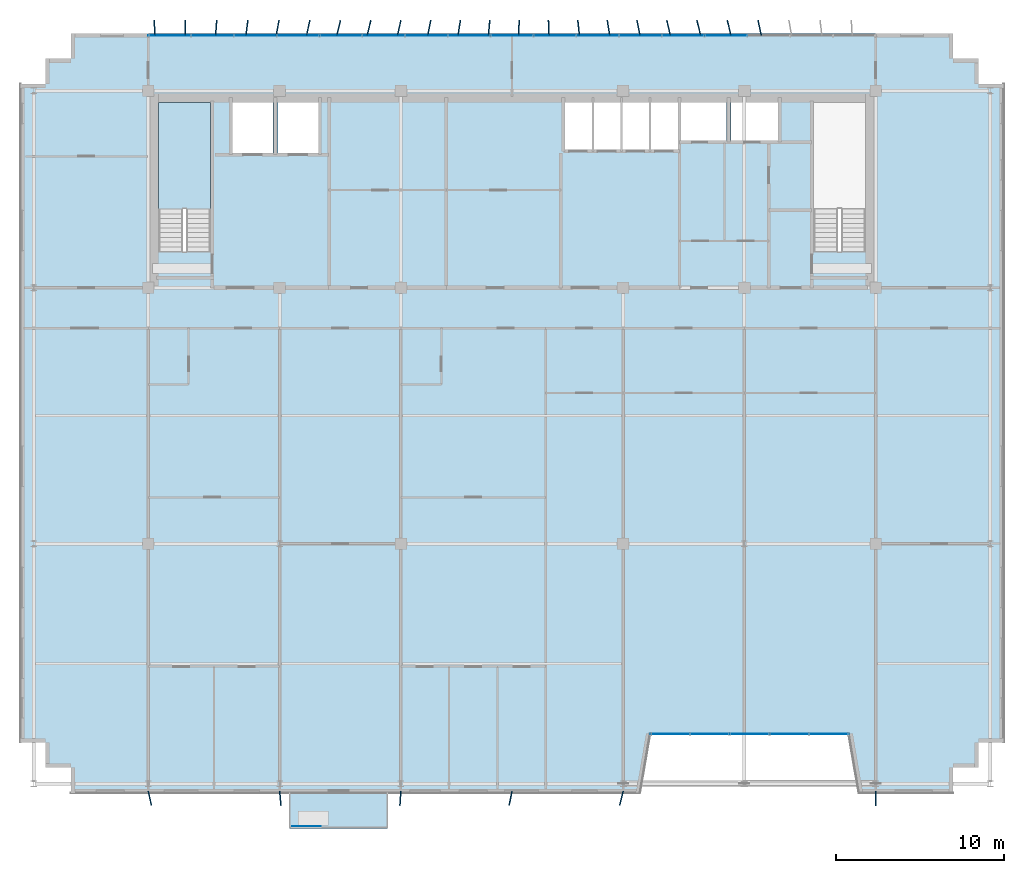
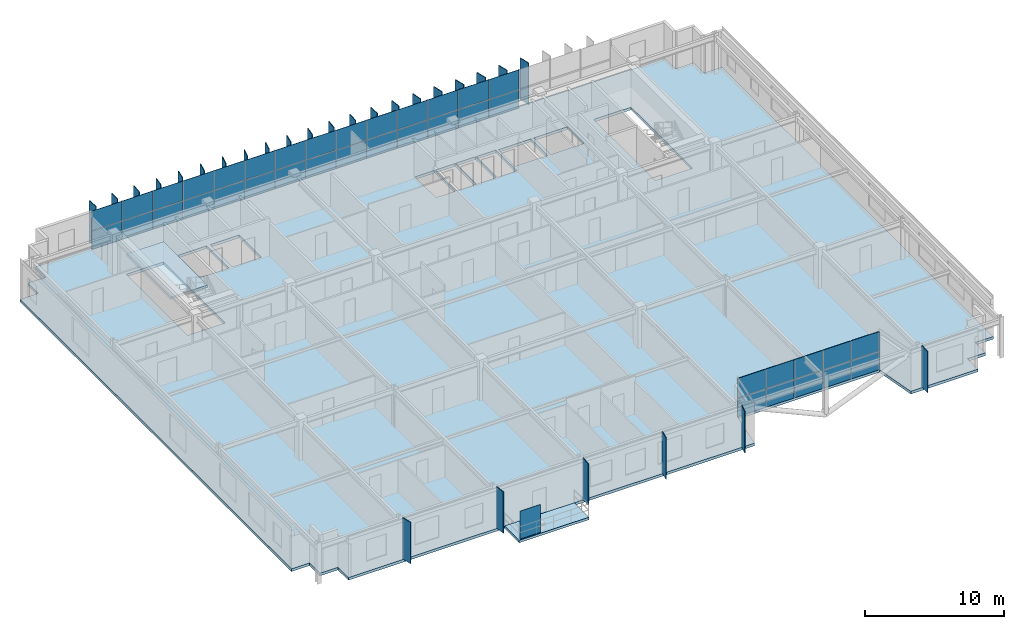
# One storey, part 19 of 27: 66 plates, 3 slabs, 3 elements without a shape of their own.
"""IFC4 building model written with IfcOpenShell, lengths in metres."""

from ifc_helpers import new_model, si_unit, direction, frame, origin, origin_2d, place, context, subcontext, project, spatial, polyline, rectangle, outline, extrude, source, transform, mapped, material, layer, layer_set, type_object, element, aggregate, save


model = new_model("IFC4")

# Units and contexts
model_context = context("Model", 3, precision=1e-05, world=origin(), true_north=direction((0.0, 1.0)))
body_context = subcontext(model_context, "Body", "Model", "MODEL_VIEW")
ifc_project = project(units=[si_unit("LENGTHUNIT", "METRE"), si_unit("AREAUNIT", "SQUARE_METRE"), si_unit("VOLUMEUNIT", "CUBIC_METRE"), si_unit("PLANEANGLEUNIT", "RADIAN"), si_unit("MASSUNIT", "GRAM", prefix="KILO")], contexts=[model_context])

# Site, building, storey
site_placement = place(None, origin())
site = spatial("IfcSite", under=ifc_project, at=site_placement, CompositionType="ELEMENT")
building_placement = place(site_placement, origin())
building = spatial("IfcBuilding", under=site, at=building_placement, Name="Trelvane Seafront Commons", CompositionType="ELEMENT")
storey_placement = place(building_placement, frame((0.0, 0.0, 233.699951171875)))
storey = spatial("IfcBuildingStorey", under=building, at=storey_placement, Name="L61", CompositionType="ELEMENT", Elevation=233.699951171875)

# Slab
ifc_material_1 = material(Name="Concrete C40/50", Category="concrete")
ifc_layer_1 = layer(ifc_material_1, 0.219970703125, Name="ARCH-BALC-220")
ifc_layer_set_1 = layer_set([ifc_layer_1], Name="Concrete C40/50")
slab_type_1 = type_object("IfcSlabType", Name="ARCH-BALC-220", PredefinedType="FLOOR", material=ifc_layer_set_1)
slab_1_placement = place(storey_placement, frame((0.0, 0.0, -0.219970703125)))
element("IfcSlab", 1, at=slab_1_placement, inside=storey, type_object=slab_type_1, Name="L61 Cantilevered Tree Balcony Loggia 2", PredefinedType="FLOOR", context=body_context, shape_type="SweptSolid", body=[
    extrude(outline(polyline([(24.0, 1.300048828125), (29.800048828125, 1.300048828125), (29.800048828125, 3.39990234375), (24.0, 3.39990234375), (24.0, 1.300048828125)])), origin(), (0.0, 0.0, 1.0), 0.219970703125),
])

# Stair, slab
stair_type = type_object("IfcStairType", Name="ARCH-STR-ST-1-R20-180", PredefinedType="HALF_TURN_STAIR", material=ifc_material_1)
stair_placement = place(storey_placement, origin())
stair = element("IfcStair", 2, at=stair_placement, inside=storey, type_object=stair_type, Name="L61 West Protected Firefighting Exit Stair ST-1", PredefinedType="HALF_TURN_STAIR")
ifc_layer_2 = layer(ifc_material_1, 0.199951171875, Name="ARCH-LND-200")
ifc_layer_set_2 = layer_set([ifc_layer_2], Name="Concrete C40/50")
slab_type_2 = type_object("IfcSlabType", Name="ARCH-LND-200", PredefinedType="LANDING", material=ifc_layer_set_2)
slab_2_placement = place(storey_placement, frame((0.0, 0.0, 1.60009765625)))
slab_2 = element("IfcSlab", 3, at=slab_2_placement, type_object=slab_type_2, Name="ST-1 landing 1", PredefinedType="LANDING", context=body_context, shape_type="SweptSolid", body=[
    extrude(outline(polyline([(19.300048828125, 38.070068359375), (19.300048828125, 44.39990234375), (16.199951171875, 44.39990234375), (16.199951171875, 38.070068359375), (19.300048828125, 38.070068359375)])), origin(), (0.0, 0.0, 1.0), 0.199951171875),
])
aggregate(stair, [slab_2])

# Slab
ifc_material_2 = material(Name="Concrete C50/60", Category="concrete")
ifc_layer_3 = layer(ifc_material_2, 0.239990234375, Name="STR-SLB-Z4-240")
ifc_layer_set_3 = layer_set([ifc_layer_3], Name="Concrete C50/60")
slab_type_3 = type_object("IfcSlabType", Name="STR-SLB-Z4-240", PredefinedType="FLOOR", material=ifc_layer_set_3)
slab_3_placement = place(storey_placement, frame((0.0, 0.0, -0.239990234375)))
element("IfcSlab", 4, at=slab_3_placement, inside=storey, type_object=slab_type_3, Name="L61 Structural Floor Slab", PredefinedType="FLOOR", context=body_context, shape_type="SweptSolid", body=[
    extrude(outline(polyline([(11.0, 3.39990234375), (44.800048828125, 3.39990234375), (45.39990234375, 6.89990234375), (57.199951171875, 6.89990234375), (57.800048828125, 3.39990234375), (63.39990234375, 3.39990234375), (63.39990234375, 4.89990234375), (64.89990234375, 4.89990234375), (64.89990234375, 6.39990234375), (66.39990234375, 6.39990234375), (66.39990234375, 45.5), (64.89990234375, 45.5), (64.89990234375, 47.0), (63.39990234375, 47.0), (63.39990234375, 48.5), (11.0, 48.5), (11.0, 47.0), (9.5, 47.0), (9.5, 45.5), (8.0, 45.5), (8.0, 6.39990234375), (9.5, 6.39990234375), (9.5, 4.89990234375), (11.0, 4.89990234375), (11.0, 3.39990234375)]), holes=[polyline([(19.300048828125, 35.550048828125), (16.199951171875, 35.550048828125), (16.199951171875, 44.39990234375), (19.300048828125, 44.39990234375), (19.300048828125, 35.550048828125)]), polyline([(58.199951171875, 35.550048828125), (55.10009765625, 35.550048828125), (55.10009765625, 44.39990234375), (58.199951171875, 44.39990234375), (58.199951171875, 35.550048828125)]), polyline([(23.0, 41.39990234375), (20.60009765625, 41.39990234375), (20.60009765625, 44.60009765625), (23.0, 44.60009765625), (23.0, 41.39990234375)]), polyline([(23.300048828125, 41.39990234375), (23.300048828125, 44.60009765625), (25.699951171875, 44.60009765625), (25.699951171875, 41.39990234375), (23.300048828125, 41.39990234375)]), polyline([(40.35009765625, 41.60009765625), (40.35009765625, 44.60009765625), (41.969970703125, 44.60009765625), (41.969970703125, 41.60009765625), (40.35009765625, 41.60009765625)]), polyline([(43.669921875, 41.60009765625), (42.050048828125, 41.60009765625), (42.050048828125, 44.60009765625), (43.669921875, 44.60009765625), (43.669921875, 41.60009765625)]), polyline([(45.3701171875, 41.60009765625), (43.75, 41.60009765625), (43.75, 44.60009765625), (45.3701171875, 44.60009765625), (45.3701171875, 41.60009765625)]), polyline([(47.070068359375, 41.60009765625), (45.449951171875, 41.60009765625), (45.449951171875, 44.60009765625), (47.070068359375, 44.60009765625), (47.070068359375, 41.60009765625)]), polyline([(47.25, 42.14990234375), (47.25, 44.550048828125), (49.949951171875, 44.550048828125), (49.949951171875, 42.14990234375), (47.25, 42.14990234375)]), polyline([(50.199951171875, 42.14990234375), (50.199951171875, 44.550048828125), (53.0, 44.550048828125), (53.0, 42.14990234375), (50.199951171875, 42.14990234375)])]), origin(), (0.0, 0.0, 1.0), 0.239990234375),
])

# Plates
ifc_material_3 = material(Name="Perforated anodised aluminium screen", Category="aluminium")
ifc_layer_4 = layer(ifc_material_3, 0.01611328125, Name="ARCH-PLATE-SCREEN")
ifc_layer_set_4 = layer_set([ifc_layer_4], Name="Perforated anodised aluminium screen")
plate_type_1 = type_object("IfcPlateType", Name="ARCH-PLATE-SCREEN", PredefinedType="USERDEFINED", material=ifc_layer_set_4)
shared_shape_1 = source(origin(), body_context, "Body", "SweptSolid", [
    extrude(rectangle(XDim=1.681884765625, YDim=0.01611328125, at=origin_2d()), origin(), (0.0, 0.0, 1.0), 2.449951171875),
])
plate_1_placement = place(storey_placement, frame((24.990966796875, 1.419921875, 0.0), z_axis=(0.0, 0.0, 1.0), x_axis=(1.0, 0.0, 0.0)))
element("IfcPlate", 5, at=plate_1_placement, inside=storey, type_object=plate_type_1, Name="SCR-L61-00214", ObjectType="SCREEN", PredefinedType="USERDEFINED", context=body_context, shape_type="MappedRepresentation", body=[
    mapped(shared_shape_1, transform((0.0, 0.0, 0.0), x_axis=(1.0, 0.0, 0.0), y_axis=(0.0, 1.0, 0.0), z_axis=(0.0, 0.0, 1.0), scale=1.0)),
])
ifc_material_4 = material(Name="Anodised pale-silver aluminium", Category="aluminium")
ifc_layer_5 = layer(ifc_material_4, 0.06005859375, Name="ARCH-PLATE-FIN900")
ifc_layer_set_5 = layer_set([ifc_layer_5], Name="Anodised pale-silver aluminium")
plate_type_2 = type_object("IfcPlateType", Name="ARCH-PLATE-FIN900", PredefinedType="USERDEFINED", material=ifc_layer_set_5)
shared_shape_2 = source(origin(), body_context, "Body", "SweptSolid", [
    extrude(rectangle(XDim=0.89990234375, YDim=0.06005859375, at=origin_2d()), origin(), (0.0, 0.0, 1.0), 3.639892578125),
])
for number, where, z_axis, x_axis, name in (
    (6, (15.97314453125, 48.84912109375, -0.02001953125), (0.0, 0.0, 1.0), (-0.059555514502, 0.998224995025, 0.0), "FIN-L61-01696"),
    (7, (17.802978515625, 48.85009765625, -0.02001953125), (0.0, 0.0, 1.0), (0.006555409718, 0.999978513071, 0.0), "FIN-L61-01697"),
    (8, (19.63232421875, 48.848876953125, -0.02001953125), (0.0, 0.0, 1.0), (0.072108473642, 0.997396795678, 0.0), "FIN-L61-01698"),
    (9, (21.45947265625, 48.845947265625, -0.02001953125), (0.0, 0.0, 1.0), (0.132112799079, 0.99123468882, 0.0), "FIN-L61-01699"),
    (10, (23.281982421875, 48.842529296875, -0.02001953125), (0.0, 0.0, 1.0), (0.181993549376, 0.98329972439, 0.0), "FIN-L61-01700"),
    (11, (25.09814453125, 48.839111328125, -0.02001953125), (0.0, 0.0, 1.0), (0.218119395186, 0.975922091892, 0.0), "FIN-L61-01701"),
    (12, (26.9072265625, 48.8369140625, -0.02001953125), (0.0, 0.0, 1.0), (0.238219879573, 0.971211248378, 0.0), "FIN-L61-01702"),
    (13, (28.70849609375, 48.836669921875, -0.02001953125), (0.0, 0.0, 1.0), (0.240888732524, 0.970552738672, 0.0), "FIN-L61-01703"),
    (14, (30.501708984375, 48.83837890625, -0.02001953125), (0.0, 0.0, 1.0), (0.226003592141, 0.97412646835, 0.0), "FIN-L61-01704"),
    (15, (32.28759765625, 48.84130859375, -0.02001953125), (0.0, 0.0, 1.0), (0.194556213627, 0.980891369999, 0.0), "FIN-L61-01705"),
    (16, (34.06689453125, 48.844970703125, -0.02001953125), (0.0, 0.0, 1.0), (0.148558521364, 0.988903618019, 0.0), "FIN-L61-01706"),
    (17, (37.612060546875, 48.849853515625, -0.02001953125), (0.0, 0.0, 1.0), (0.026777131077, 0.999641428339, 0.0), "FIN-L61-01708"),
    (18, (39.382080078125, 48.849609375, -0.02001953125), (0.0, 0.0, 1.0), (-0.03977777361, 0.999208551168, 0.0), "FIN-L61-01709"),
    (19, (41.153564453125, 48.84765625, -0.02001953125), (0.0, 0.0, 1.0), (-0.103111970923, 0.99466975497, 0.0), "FIN-L61-01710"),
    (20, (42.9287109375, 48.84423828125, -0.02001953125), (0.0, 0.0, 1.0), (-0.158557874309, 0.987349685013, 0.0), "FIN-L61-01711"),
    (21, (44.708984375, 48.8408203125, -0.02001953125), (0.0, 0.0, 1.0), (-0.201881403632, 0.979409974866, 0.0), "FIN-L61-01712"),
    (22, (46.496337890625, 48.837890625, -0.02001953125), (0.0, 0.0, 1.0), (-0.230228077667, 0.973136697619, 0.0), "FIN-L61-01713"),
    (23, (48.291259765625, 48.836669921875, -0.02001953125), (0.0, 0.0, 1.0), (-0.24167294527, 0.970357762645, 0.0), "FIN-L61-01714"),
    (24, (50.093994140625, 48.83740234375, -0.02001953125), (0.0, 0.0, 1.0), (-0.235549226534, 0.971862419213, 0.0), "FIN-L61-01715"),
    (25, (51.904541015625, 48.839599609375, -0.02001953125), (0.0, 0.0, 1.0), (-0.212222017279, 0.977221477139, 0.0), "FIN-L61-01716"),
):
    element("IfcPlate", number, at=place(storey_placement, frame(where, z_axis=z_axis, x_axis=x_axis)), inside=storey, type_object=plate_type_2, Name=name, ObjectType="FIN", PredefinedType="USERDEFINED", context=body_context, shape_type="MappedRepresentation", body=[
        mapped(shared_shape_2, transform((0.0, 0.0, 0.0), x_axis=(1.0, 0.0, 0.0), y_axis=(0.0, 1.0, 0.0), z_axis=(0.0, 0.0, 1.0), scale=1.0)),
    ])
shared_shape_3 = source(origin(), body_context, "Body", "SweptSolid", [
    extrude(rectangle(XDim=0.900146484375, YDim=0.06005859375, at=origin_2d()), origin(), (0.0, 0.0, 1.0), 3.639892578125),
])
plate_2_placement = place(storey_placement, frame((35.841064453125, 48.84814453125, -0.02001953125), z_axis=(0.0, 0.0, 1.0), x_axis=(0.091216581694, 0.995831077655, 0.0)))
element("IfcPlate", 26, at=plate_2_placement, inside=storey, type_object=plate_type_2, Name="FIN-L61-01707", ObjectType="FIN", PredefinedType="USERDEFINED", context=body_context, shape_type="MappedRepresentation", body=[
    mapped(shared_shape_3, transform((0.0, 0.0, 0.0), x_axis=(1.0, 0.0, 0.0), y_axis=(0.0, 1.0, 0.0), z_axis=(0.0, 0.0, 1.0), scale=1.0)),
])
shared_shape_4 = source(origin(), body_context, "Body", "SweptSolid", [
    extrude(rectangle(XDim=0.85009765625, YDim=0.06005859375, at=origin_2d()), origin(), (0.0, 0.0, 1.0), 3.639892578125),
])
for number, where, z_axis, x_axis, name in (
    (27, (15.692626953125, 3.085205078125, -0.02001953125), (0.0, 0.0, 1.0), (0.217877519127, -0.975976119923, 0.0), "FIN-S-L61-01720"),
    (28, (23.44189453125, 3.0771484375, -0.02001953125), (0.0, 0.0, 1.0), (0.098828251663, -0.995104505403, 0.0), "FIN-S-L61-01721"),
    (29, (30.571044921875, 3.075927734375, -0.02001953125), (0.0, 0.0, 1.0), (-0.068119767545, -0.997677150821, 0.0), "FIN-S-L61-01722"),
    (30, (37.1142578125, 3.083740234375, -0.02001953125), (0.0, 0.0, 1.0), (-0.201881403632, -0.979409974866, 0.0), "FIN-S-L61-01723"),
    (31, (43.69775390625, 3.08740234375, -0.02001953125), (0.0, 0.0, 1.0), (-0.24045844961, -0.970659432557, 0.0), "FIN-S-L61-01724"),
    (32, (58.7939453125, 3.0751953125, -0.02001953125), (0.0, 0.0, 1.0), (-0.014353094906, -0.999896989028, 0.0), "FIN-S-L61-01725"),
):
    element("IfcPlate", number, at=place(storey_placement, frame(where, z_axis=z_axis, x_axis=x_axis)), inside=storey, type_object=plate_type_2, Name=name, ObjectType="FIN", PredefinedType="USERDEFINED", context=body_context, shape_type="MappedRepresentation", body=[
        mapped(shared_shape_4, transform((0.0, 0.0, 0.0), x_axis=(1.0, 0.0, 0.0), y_axis=(0.0, 1.0, 0.0), z_axis=(0.0, 0.0, 1.0), scale=1.0)),
    ])

# Curtain wall, plates
curtain_wall_type_1 = type_object("IfcCurtainWallType", Name="ARCH-CW5-UPTOWER", PredefinedType="NOTDEFINED", material=ifc_material_4)
curtain_wall_1_placement = place(storey_placement, origin())
curtain_wall_1 = element("IfcCurtainWall", 33, at=curtain_wall_1_placement, inside=storey, type_object=curtain_wall_type_1, Name="CW-L61-0104", PredefinedType="NOTDEFINED")
ifc_material_5 = material(Name="Low-E coastal double glazing", Category="glass")
ifc_layer_6 = layer(ifc_material_5, 0.033935546875, Name="ARCH-CW-GLAZ-34")
ifc_layer_set_6 = layer_set([ifc_layer_6], Name="Low-E coastal double glazing")
plate_type_3 = type_object("IfcPlateType", Name="ARCH-CW-GLAZ-34", PredefinedType="CURTAIN_PANEL", material=ifc_layer_set_6)
shared_shape_5 = source(origin(), body_context, "Body", "SweptSolid", [
    extrude(rectangle(XDim=2.51708984375, YDim=0.033935546875, at=origin_2d()), origin(), (0.0, 0.0, 1.0), 1.594970703125),
])
plate_3_placement = place(storey_placement, frame((16.87060546875, 48.3701171875, 0.0), z_axis=(0.0, 0.0, 1.0), x_axis=(1.0, 0.0, 0.0)))
plate_3 = element("IfcPlate", 34, at=plate_3_placement, type_object=plate_type_3, Name="CW-L61-0104-P00-1", PredefinedType="CURTAIN_PANEL", context=body_context, shape_type="MappedRepresentation", body=[
    mapped(shared_shape_5, transform((0.0, 0.0, 0.0), x_axis=(1.0, 0.0, 0.0), y_axis=(0.0, 1.0, 0.0), z_axis=(0.0, 0.0, 1.0), scale=1.0)),
])
plate_4_placement = place(storey_placement, frame((19.411865234375, 48.3701171875, 0.0), z_axis=(0.0, 0.0, 1.0), x_axis=(1.0, 0.0, 0.0)))
plate_4 = element("IfcPlate", 35, at=plate_4_placement, type_object=plate_type_3, Name="CW-L61-0104-P01-1", PredefinedType="CURTAIN_PANEL", context=body_context, shape_type="MappedRepresentation", body=[
    mapped(shared_shape_5, transform((0.0, 0.0, 0.0), x_axis=(1.0, 0.0, 0.0), y_axis=(0.0, 1.0, 0.0), z_axis=(0.0, 0.0, 1.0), scale=1.0)),
])
plate_5_placement = place(storey_placement, frame((21.952880859375, 48.3701171875, 0.0), z_axis=(0.0, 0.0, 1.0), x_axis=(1.0, 0.0, 0.0)))
plate_5 = element("IfcPlate", 36, at=plate_5_placement, type_object=plate_type_3, Name="CW-L61-0104-P02-1", PredefinedType="CURTAIN_PANEL", context=body_context, shape_type="MappedRepresentation", body=[
    mapped(shared_shape_5, transform((0.0, 0.0, 0.0), x_axis=(1.0, 0.0, 0.0), y_axis=(0.0, 1.0, 0.0), z_axis=(0.0, 0.0, 1.0), scale=1.0)),
])
plate_6_placement = place(storey_placement, frame((24.494140625, 48.3701171875, 0.0), z_axis=(0.0, 0.0, 1.0), x_axis=(1.0, 0.0, 0.0)))
plate_6 = element("IfcPlate", 37, at=plate_6_placement, type_object=plate_type_3, Name="CW-L61-0104-P03-1", PredefinedType="CURTAIN_PANEL", context=body_context, shape_type="MappedRepresentation", body=[
    mapped(shared_shape_5, transform((0.0, 0.0, 0.0), x_axis=(1.0, 0.0, 0.0), y_axis=(0.0, 1.0, 0.0), z_axis=(0.0, 0.0, 1.0), scale=1.0)),
])
plate_7_placement = place(storey_placement, frame((27.035400390625, 48.3701171875, 0.0), z_axis=(0.0, 0.0, 1.0), x_axis=(1.0, 0.0, 0.0)))
plate_7 = element("IfcPlate", 38, at=plate_7_placement, type_object=plate_type_3, Name="CW-L61-0104-P04-1", PredefinedType="CURTAIN_PANEL", context=body_context, shape_type="MappedRepresentation", body=[
    mapped(shared_shape_5, transform((0.0, 0.0, 0.0), x_axis=(1.0, 0.0, 0.0), y_axis=(0.0, 1.0, 0.0), z_axis=(0.0, 0.0, 1.0), scale=1.0)),
])
plate_8_placement = place(storey_placement, frame((29.576416015625, 48.3701171875, 0.0), z_axis=(0.0, 0.0, 1.0), x_axis=(1.0, 0.0, 0.0)))
plate_8 = element("IfcPlate", 39, at=plate_8_placement, type_object=plate_type_3, Name="CW-L61-0104-P05-1", PredefinedType="CURTAIN_PANEL", context=body_context, shape_type="MappedRepresentation", body=[
    mapped(shared_shape_5, transform((0.0, 0.0, 0.0), x_axis=(1.0, 0.0, 0.0), y_axis=(0.0, 1.0, 0.0), z_axis=(0.0, 0.0, 1.0), scale=1.0)),
])
plate_9_placement = place(storey_placement, frame((32.11767578125, 48.3701171875, 0.0), z_axis=(0.0, 0.0, 1.0), x_axis=(1.0, 0.0, 0.0)))
plate_9 = element("IfcPlate", 40, at=plate_9_placement, type_object=plate_type_3, Name="CW-L61-0104-P06-1", PredefinedType="CURTAIN_PANEL", context=body_context, shape_type="MappedRepresentation", body=[
    mapped(shared_shape_5, transform((0.0, 0.0, 0.0), x_axis=(1.0, 0.0, 0.0), y_axis=(0.0, 1.0, 0.0), z_axis=(0.0, 0.0, 1.0), scale=1.0)),
])
plate_10_placement = place(storey_placement, frame((34.65869140625, 48.3701171875, 0.0), z_axis=(0.0, 0.0, 1.0), x_axis=(1.0, 0.0, 0.0)))
plate_10 = element("IfcPlate", 41, at=plate_10_placement, type_object=plate_type_3, Name="CW-L61-0104-P07-1", PredefinedType="CURTAIN_PANEL", context=body_context, shape_type="MappedRepresentation", body=[
    mapped(shared_shape_5, transform((0.0, 0.0, 0.0), x_axis=(1.0, 0.0, 0.0), y_axis=(0.0, 1.0, 0.0), z_axis=(0.0, 0.0, 1.0), scale=1.0)),
])
plate_11_placement = place(storey_placement, frame((37.199951171875, 48.3701171875, 0.0), z_axis=(0.0, 0.0, 1.0), x_axis=(1.0, 0.0, 0.0)))
plate_11 = element("IfcPlate", 42, at=plate_11_placement, type_object=plate_type_3, Name="CW-L61-0104-P08-1", PredefinedType="CURTAIN_PANEL", context=body_context, shape_type="MappedRepresentation", body=[
    mapped(shared_shape_5, transform((0.0, 0.0, 0.0), x_axis=(1.0, 0.0, 0.0), y_axis=(0.0, 1.0, 0.0), z_axis=(0.0, 0.0, 1.0), scale=1.0)),
])
plate_12_placement = place(storey_placement, frame((39.7412109375, 48.3701171875, 0.0), z_axis=(0.0, 0.0, 1.0), x_axis=(1.0, 0.0, 0.0)))
plate_12 = element("IfcPlate", 43, at=plate_12_placement, type_object=plate_type_3, Name="CW-L61-0104-P09-1", PredefinedType="CURTAIN_PANEL", context=body_context, shape_type="MappedRepresentation", body=[
    mapped(shared_shape_5, transform((0.0, 0.0, 0.0), x_axis=(1.0, 0.0, 0.0), y_axis=(0.0, 1.0, 0.0), z_axis=(0.0, 0.0, 1.0), scale=1.0)),
])
plate_13_placement = place(storey_placement, frame((42.282470703125, 48.3701171875, 0.0), z_axis=(0.0, 0.0, 1.0), x_axis=(1.0, 0.0, 0.0)))
plate_13 = element("IfcPlate", 44, at=plate_13_placement, type_object=plate_type_3, Name="CW-L61-0104-P10-1", PredefinedType="CURTAIN_PANEL", context=body_context, shape_type="MappedRepresentation", body=[
    mapped(shared_shape_5, transform((0.0, 0.0, 0.0), x_axis=(1.0, 0.0, 0.0), y_axis=(0.0, 1.0, 0.0), z_axis=(0.0, 0.0, 1.0), scale=1.0)),
])
plate_14_placement = place(storey_placement, frame((44.823486328125, 48.3701171875, 0.0), z_axis=(0.0, 0.0, 1.0), x_axis=(1.0, 0.0, 0.0)))
plate_14 = element("IfcPlate", 45, at=plate_14_placement, type_object=plate_type_3, Name="CW-L61-0104-P11-1", PredefinedType="CURTAIN_PANEL", context=body_context, shape_type="MappedRepresentation", body=[
    mapped(shared_shape_5, transform((0.0, 0.0, 0.0), x_axis=(1.0, 0.0, 0.0), y_axis=(0.0, 1.0, 0.0), z_axis=(0.0, 0.0, 1.0), scale=1.0)),
])
plate_15_placement = place(storey_placement, frame((47.36474609375, 48.3701171875, 0.0), z_axis=(0.0, 0.0, 1.0), x_axis=(1.0, 0.0, 0.0)))
plate_15 = element("IfcPlate", 46, at=plate_15_placement, type_object=plate_type_3, Name="CW-L61-0104-P12-1", PredefinedType="CURTAIN_PANEL", context=body_context, shape_type="MappedRepresentation", body=[
    mapped(shared_shape_5, transform((0.0, 0.0, 0.0), x_axis=(1.0, 0.0, 0.0), y_axis=(0.0, 1.0, 0.0), z_axis=(0.0, 0.0, 1.0), scale=1.0)),
])
plate_16_placement = place(storey_placement, frame((49.906005859375, 48.3701171875, 0.0), z_axis=(0.0, 0.0, 1.0), x_axis=(1.0, 0.0, 0.0)))
plate_16 = element("IfcPlate", 47, at=plate_16_placement, type_object=plate_type_3, Name="CW-L61-0104-P13-1", PredefinedType="CURTAIN_PANEL", context=body_context, shape_type="MappedRepresentation", body=[
    mapped(shared_shape_5, transform((0.0, 0.0, 0.0), x_axis=(1.0, 0.0, 0.0), y_axis=(0.0, 1.0, 0.0), z_axis=(0.0, 0.0, 1.0), scale=1.0)),
])
shared_shape_6 = source(origin(), body_context, "Body", "SweptSolid", [
    extrude(rectangle(XDim=2.51708984375, YDim=0.033935546875, at=origin_2d()), origin(), (0.0, 0.0, 1.0), 1.72900390625),
])
plate_17_placement = place(storey_placement, frame((16.87060546875, 48.3701171875, 1.631103515625), z_axis=(0.0, 0.0, 1.0), x_axis=(1.0, 0.0, 0.0)))
plate_17 = element("IfcPlate", 48, at=plate_17_placement, type_object=plate_type_3, Name="CW-L61-0104-P00-2", PredefinedType="CURTAIN_PANEL", context=body_context, shape_type="MappedRepresentation", body=[
    mapped(shared_shape_6, transform((0.0, 0.0, 0.0), x_axis=(1.0, 0.0, 0.0), y_axis=(0.0, 1.0, 0.0), z_axis=(0.0, 0.0, 1.0), scale=1.0)),
])
plate_18_placement = place(storey_placement, frame((19.411865234375, 48.3701171875, 1.631103515625), z_axis=(0.0, 0.0, 1.0), x_axis=(1.0, 0.0, 0.0)))
plate_18 = element("IfcPlate", 49, at=plate_18_placement, type_object=plate_type_3, Name="CW-L61-0104-P01-2", PredefinedType="CURTAIN_PANEL", context=body_context, shape_type="MappedRepresentation", body=[
    mapped(shared_shape_6, transform((0.0, 0.0, 0.0), x_axis=(1.0, 0.0, 0.0), y_axis=(0.0, 1.0, 0.0), z_axis=(0.0, 0.0, 1.0), scale=1.0)),
])
plate_19_placement = place(storey_placement, frame((21.952880859375, 48.3701171875, 1.631103515625), z_axis=(0.0, 0.0, 1.0), x_axis=(1.0, 0.0, 0.0)))
plate_19 = element("IfcPlate", 50, at=plate_19_placement, type_object=plate_type_3, Name="CW-L61-0104-P02-2", PredefinedType="CURTAIN_PANEL", context=body_context, shape_type="MappedRepresentation", body=[
    mapped(shared_shape_6, transform((0.0, 0.0, 0.0), x_axis=(1.0, 0.0, 0.0), y_axis=(0.0, 1.0, 0.0), z_axis=(0.0, 0.0, 1.0), scale=1.0)),
])
plate_20_placement = place(storey_placement, frame((24.494140625, 48.3701171875, 1.631103515625), z_axis=(0.0, 0.0, 1.0), x_axis=(1.0, 0.0, 0.0)))
plate_20 = element("IfcPlate", 51, at=plate_20_placement, type_object=plate_type_3, Name="CW-L61-0104-P03-2", PredefinedType="CURTAIN_PANEL", context=body_context, shape_type="MappedRepresentation", body=[
    mapped(shared_shape_6, transform((0.0, 0.0, 0.0), x_axis=(1.0, 0.0, 0.0), y_axis=(0.0, 1.0, 0.0), z_axis=(0.0, 0.0, 1.0), scale=1.0)),
])
plate_21_placement = place(storey_placement, frame((27.035400390625, 48.3701171875, 1.631103515625), z_axis=(0.0, 0.0, 1.0), x_axis=(1.0, 0.0, 0.0)))
plate_21 = element("IfcPlate", 52, at=plate_21_placement, type_object=plate_type_3, Name="CW-L61-0104-P04-2", PredefinedType="CURTAIN_PANEL", context=body_context, shape_type="MappedRepresentation", body=[
    mapped(shared_shape_6, transform((0.0, 0.0, 0.0), x_axis=(1.0, 0.0, 0.0), y_axis=(0.0, 1.0, 0.0), z_axis=(0.0, 0.0, 1.0), scale=1.0)),
])
plate_22_placement = place(storey_placement, frame((29.576416015625, 48.3701171875, 1.631103515625), z_axis=(0.0, 0.0, 1.0), x_axis=(1.0, 0.0, 0.0)))
plate_22 = element("IfcPlate", 53, at=plate_22_placement, type_object=plate_type_3, Name="CW-L61-0104-P05-2", PredefinedType="CURTAIN_PANEL", context=body_context, shape_type="MappedRepresentation", body=[
    mapped(shared_shape_6, transform((0.0, 0.0, 0.0), x_axis=(1.0, 0.0, 0.0), y_axis=(0.0, 1.0, 0.0), z_axis=(0.0, 0.0, 1.0), scale=1.0)),
])
plate_23_placement = place(storey_placement, frame((32.11767578125, 48.3701171875, 1.631103515625), z_axis=(0.0, 0.0, 1.0), x_axis=(1.0, 0.0, 0.0)))
plate_23 = element("IfcPlate", 54, at=plate_23_placement, type_object=plate_type_3, Name="CW-L61-0104-P06-2", PredefinedType="CURTAIN_PANEL", context=body_context, shape_type="MappedRepresentation", body=[
    mapped(shared_shape_6, transform((0.0, 0.0, 0.0), x_axis=(1.0, 0.0, 0.0), y_axis=(0.0, 1.0, 0.0), z_axis=(0.0, 0.0, 1.0), scale=1.0)),
])
plate_24_placement = place(storey_placement, frame((34.65869140625, 48.3701171875, 1.631103515625), z_axis=(0.0, 0.0, 1.0), x_axis=(1.0, 0.0, 0.0)))
plate_24 = element("IfcPlate", 55, at=plate_24_placement, type_object=plate_type_3, Name="CW-L61-0104-P07-2", PredefinedType="CURTAIN_PANEL", context=body_context, shape_type="MappedRepresentation", body=[
    mapped(shared_shape_6, transform((0.0, 0.0, 0.0), x_axis=(1.0, 0.0, 0.0), y_axis=(0.0, 1.0, 0.0), z_axis=(0.0, 0.0, 1.0), scale=1.0)),
])
plate_25_placement = place(storey_placement, frame((37.199951171875, 48.3701171875, 1.631103515625), z_axis=(0.0, 0.0, 1.0), x_axis=(1.0, 0.0, 0.0)))
plate_25 = element("IfcPlate", 56, at=plate_25_placement, type_object=plate_type_3, Name="CW-L61-0104-P08-2", PredefinedType="CURTAIN_PANEL", context=body_context, shape_type="MappedRepresentation", body=[
    mapped(shared_shape_6, transform((0.0, 0.0, 0.0), x_axis=(1.0, 0.0, 0.0), y_axis=(0.0, 1.0, 0.0), z_axis=(0.0, 0.0, 1.0), scale=1.0)),
])
plate_26_placement = place(storey_placement, frame((39.7412109375, 48.3701171875, 1.631103515625), z_axis=(0.0, 0.0, 1.0), x_axis=(1.0, 0.0, 0.0)))
plate_26 = element("IfcPlate", 57, at=plate_26_placement, type_object=plate_type_3, Name="CW-L61-0104-P09-2", PredefinedType="CURTAIN_PANEL", context=body_context, shape_type="MappedRepresentation", body=[
    mapped(shared_shape_6, transform((0.0, 0.0, 0.0), x_axis=(1.0, 0.0, 0.0), y_axis=(0.0, 1.0, 0.0), z_axis=(0.0, 0.0, 1.0), scale=1.0)),
])
plate_27_placement = place(storey_placement, frame((42.282470703125, 48.3701171875, 1.631103515625), z_axis=(0.0, 0.0, 1.0), x_axis=(1.0, 0.0, 0.0)))
plate_27 = element("IfcPlate", 58, at=plate_27_placement, type_object=plate_type_3, Name="CW-L61-0104-P10-2", PredefinedType="CURTAIN_PANEL", context=body_context, shape_type="MappedRepresentation", body=[
    mapped(shared_shape_6, transform((0.0, 0.0, 0.0), x_axis=(1.0, 0.0, 0.0), y_axis=(0.0, 1.0, 0.0), z_axis=(0.0, 0.0, 1.0), scale=1.0)),
])
plate_28_placement = place(storey_placement, frame((44.823486328125, 48.3701171875, 1.631103515625), z_axis=(0.0, 0.0, 1.0), x_axis=(1.0, 0.0, 0.0)))
plate_28 = element("IfcPlate", 59, at=plate_28_placement, type_object=plate_type_3, Name="CW-L61-0104-P11-2", PredefinedType="CURTAIN_PANEL", context=body_context, shape_type="MappedRepresentation", body=[
    mapped(shared_shape_6, transform((0.0, 0.0, 0.0), x_axis=(1.0, 0.0, 0.0), y_axis=(0.0, 1.0, 0.0), z_axis=(0.0, 0.0, 1.0), scale=1.0)),
])
plate_29_placement = place(storey_placement, frame((47.36474609375, 48.3701171875, 1.631103515625), z_axis=(0.0, 0.0, 1.0), x_axis=(1.0, 0.0, 0.0)))
plate_29 = element("IfcPlate", 60, at=plate_29_placement, type_object=plate_type_3, Name="CW-L61-0104-P12-2", PredefinedType="CURTAIN_PANEL", context=body_context, shape_type="MappedRepresentation", body=[
    mapped(shared_shape_6, transform((0.0, 0.0, 0.0), x_axis=(1.0, 0.0, 0.0), y_axis=(0.0, 1.0, 0.0), z_axis=(0.0, 0.0, 1.0), scale=1.0)),
])
plate_30_placement = place(storey_placement, frame((49.906005859375, 48.3701171875, 1.631103515625), z_axis=(0.0, 0.0, 1.0), x_axis=(1.0, 0.0, 0.0)))
plate_30 = element("IfcPlate", 61, at=plate_30_placement, type_object=plate_type_3, Name="CW-L61-0104-P13-2", PredefinedType="CURTAIN_PANEL", context=body_context, shape_type="MappedRepresentation", body=[
    mapped(shared_shape_6, transform((0.0, 0.0, 0.0), x_axis=(1.0, 0.0, 0.0), y_axis=(0.0, 1.0, 0.0), z_axis=(0.0, 0.0, 1.0), scale=1.0)),
])
aggregate(curtain_wall_1, [plate_3, plate_17, plate_4, plate_18, plate_5, plate_19, plate_6, plate_20, plate_7, plate_21, plate_8, plate_22, plate_9, plate_23, plate_10, plate_24, plate_11, plate_25, plate_12, plate_26, plate_13, plate_27, plate_14, plate_28, plate_15, plate_29, plate_16, plate_30])

curtain_wall_type_2 = type_object("IfcCurtainWallType", Name="ARCH-CW3-PORTAL", PredefinedType="NOTDEFINED", material=ifc_material_4)
curtain_wall_2_placement = place(storey_placement, origin())
curtain_wall_2 = element("IfcCurtainWall", 62, at=curtain_wall_2_placement, inside=storey, type_object=curtain_wall_type_2, Name="CW-L61-VN-0105", PredefinedType="NOTDEFINED")
shared_shape_7 = source(origin(), body_context, "Body", "SweptSolid", [
    extrude(rectangle(XDim=2.3359375, YDim=0.0380859375, at=origin_2d()), origin(), (0.0, 0.0, 1.0), 1.594970703125),
])
plate_31_placement = place(storey_placement, frame((56.02001953125, 6.89990234375, 0.0), z_axis=(0.0, 0.0, 1.0), x_axis=(-1.0, 0.0, 0.0)))
plate_31 = element("IfcPlate", 63, at=plate_31_placement, type_object=plate_type_3, Name="CW-L61-VN-0105-P00-1", PredefinedType="CURTAIN_PANEL", context=body_context, shape_type="MappedRepresentation", body=[
    mapped(shared_shape_7, transform((0.0, 0.0, 0.0), x_axis=(1.0, 0.0, 0.0), y_axis=(0.0, 1.0, 0.0), z_axis=(0.0, 0.0, 1.0), scale=1.0)),
])
plate_32_placement = place(storey_placement, frame((53.659912109375, 6.89990234375, 0.0), z_axis=(0.0, 0.0, 1.0), x_axis=(-1.0, 0.0, 0.0)))
plate_32 = element("IfcPlate", 64, at=plate_32_placement, type_object=plate_type_3, Name="CW-L61-VN-0105-P01-1", PredefinedType="CURTAIN_PANEL", context=body_context, shape_type="MappedRepresentation", body=[
    mapped(shared_shape_7, transform((0.0, 0.0, 0.0), x_axis=(1.0, 0.0, 0.0), y_axis=(0.0, 1.0, 0.0), z_axis=(0.0, 0.0, 1.0), scale=1.0)),
])
plate_33_placement = place(storey_placement, frame((51.300048828125, 6.89990234375, 0.0), z_axis=(0.0, 0.0, 1.0), x_axis=(-1.0, 0.0, 0.0)))
plate_33 = element("IfcPlate", 65, at=plate_33_placement, type_object=plate_type_3, Name="CW-L61-VN-0105-P02-1", PredefinedType="CURTAIN_PANEL", context=body_context, shape_type="MappedRepresentation", body=[
    mapped(shared_shape_7, transform((0.0, 0.0, 0.0), x_axis=(1.0, 0.0, 0.0), y_axis=(0.0, 1.0, 0.0), z_axis=(0.0, 0.0, 1.0), scale=1.0)),
])
plate_34_placement = place(storey_placement, frame((48.93994140625, 6.89990234375, 0.0), z_axis=(0.0, 0.0, 1.0), x_axis=(-1.0, 0.0, 0.0)))
plate_34 = element("IfcPlate", 66, at=plate_34_placement, type_object=plate_type_3, Name="CW-L61-VN-0105-P03-1", PredefinedType="CURTAIN_PANEL", context=body_context, shape_type="MappedRepresentation", body=[
    mapped(shared_shape_7, transform((0.0, 0.0, 0.0), x_axis=(1.0, 0.0, 0.0), y_axis=(0.0, 1.0, 0.0), z_axis=(0.0, 0.0, 1.0), scale=1.0)),
])
plate_35_placement = place(storey_placement, frame((46.580078125, 6.89990234375, 0.0), z_axis=(0.0, 0.0, 1.0), x_axis=(-1.0, 0.0, 0.0)))
plate_35 = element("IfcPlate", 67, at=plate_35_placement, type_object=plate_type_3, Name="CW-L61-VN-0105-P04-1", PredefinedType="CURTAIN_PANEL", context=body_context, shape_type="MappedRepresentation", body=[
    mapped(shared_shape_7, transform((0.0, 0.0, 0.0), x_axis=(1.0, 0.0, 0.0), y_axis=(0.0, 1.0, 0.0), z_axis=(0.0, 0.0, 1.0), scale=1.0)),
])
shared_shape_8 = source(origin(), body_context, "Body", "SweptSolid", [
    extrude(rectangle(XDim=2.3359375, YDim=0.0380859375, at=origin_2d()), origin(), (0.0, 0.0, 1.0), 1.72900390625),
])
plate_36_placement = place(storey_placement, frame((56.02001953125, 6.89990234375, 1.631103515625), z_axis=(0.0, 0.0, 1.0), x_axis=(-1.0, 0.0, 0.0)))
plate_36 = element("IfcPlate", 68, at=plate_36_placement, type_object=plate_type_3, Name="CW-L61-VN-0105-P00-2", PredefinedType="CURTAIN_PANEL", context=body_context, shape_type="MappedRepresentation", body=[
    mapped(shared_shape_8, transform((0.0, 0.0, 0.0), x_axis=(1.0, 0.0, 0.0), y_axis=(0.0, 1.0, 0.0), z_axis=(0.0, 0.0, 1.0), scale=1.0)),
])
plate_37_placement = place(storey_placement, frame((53.659912109375, 6.89990234375, 1.631103515625), z_axis=(0.0, 0.0, 1.0), x_axis=(-1.0, 0.0, 0.0)))
plate_37 = element("IfcPlate", 69, at=plate_37_placement, type_object=plate_type_3, Name="CW-L61-VN-0105-P01-2", PredefinedType="CURTAIN_PANEL", context=body_context, shape_type="MappedRepresentation", body=[
    mapped(shared_shape_8, transform((0.0, 0.0, 0.0), x_axis=(1.0, 0.0, 0.0), y_axis=(0.0, 1.0, 0.0), z_axis=(0.0, 0.0, 1.0), scale=1.0)),
])
plate_38_placement = place(storey_placement, frame((51.300048828125, 6.89990234375, 1.631103515625), z_axis=(0.0, 0.0, 1.0), x_axis=(-1.0, 0.0, 0.0)))
plate_38 = element("IfcPlate", 70, at=plate_38_placement, type_object=plate_type_3, Name="CW-L61-VN-0105-P02-2", PredefinedType="CURTAIN_PANEL", context=body_context, shape_type="MappedRepresentation", body=[
    mapped(shared_shape_8, transform((0.0, 0.0, 0.0), x_axis=(1.0, 0.0, 0.0), y_axis=(0.0, 1.0, 0.0), z_axis=(0.0, 0.0, 1.0), scale=1.0)),
])
plate_39_placement = place(storey_placement, frame((48.93994140625, 6.89990234375, 1.631103515625), z_axis=(0.0, 0.0, 1.0), x_axis=(-1.0, 0.0, 0.0)))
plate_39 = element("IfcPlate", 71, at=plate_39_placement, type_object=plate_type_3, Name="CW-L61-VN-0105-P03-2", PredefinedType="CURTAIN_PANEL", context=body_context, shape_type="MappedRepresentation", body=[
    mapped(shared_shape_8, transform((0.0, 0.0, 0.0), x_axis=(1.0, 0.0, 0.0), y_axis=(0.0, 1.0, 0.0), z_axis=(0.0, 0.0, 1.0), scale=1.0)),
])
plate_40_placement = place(storey_placement, frame((46.580078125, 6.89990234375, 1.631103515625), z_axis=(0.0, 0.0, 1.0), x_axis=(-1.0, 0.0, 0.0)))
plate_40 = element("IfcPlate", 72, at=plate_40_placement, type_object=plate_type_3, Name="CW-L61-VN-0105-P04-2", PredefinedType="CURTAIN_PANEL", context=body_context, shape_type="MappedRepresentation", body=[
    mapped(shared_shape_8, transform((0.0, 0.0, 0.0), x_axis=(1.0, 0.0, 0.0), y_axis=(0.0, 1.0, 0.0), z_axis=(0.0, 0.0, 1.0), scale=1.0)),
])
aggregate(curtain_wall_2, [plate_31, plate_36, plate_32, plate_37, plate_33, plate_38, plate_34, plate_39, plate_35, plate_40])

save(model, "model.ifc")
